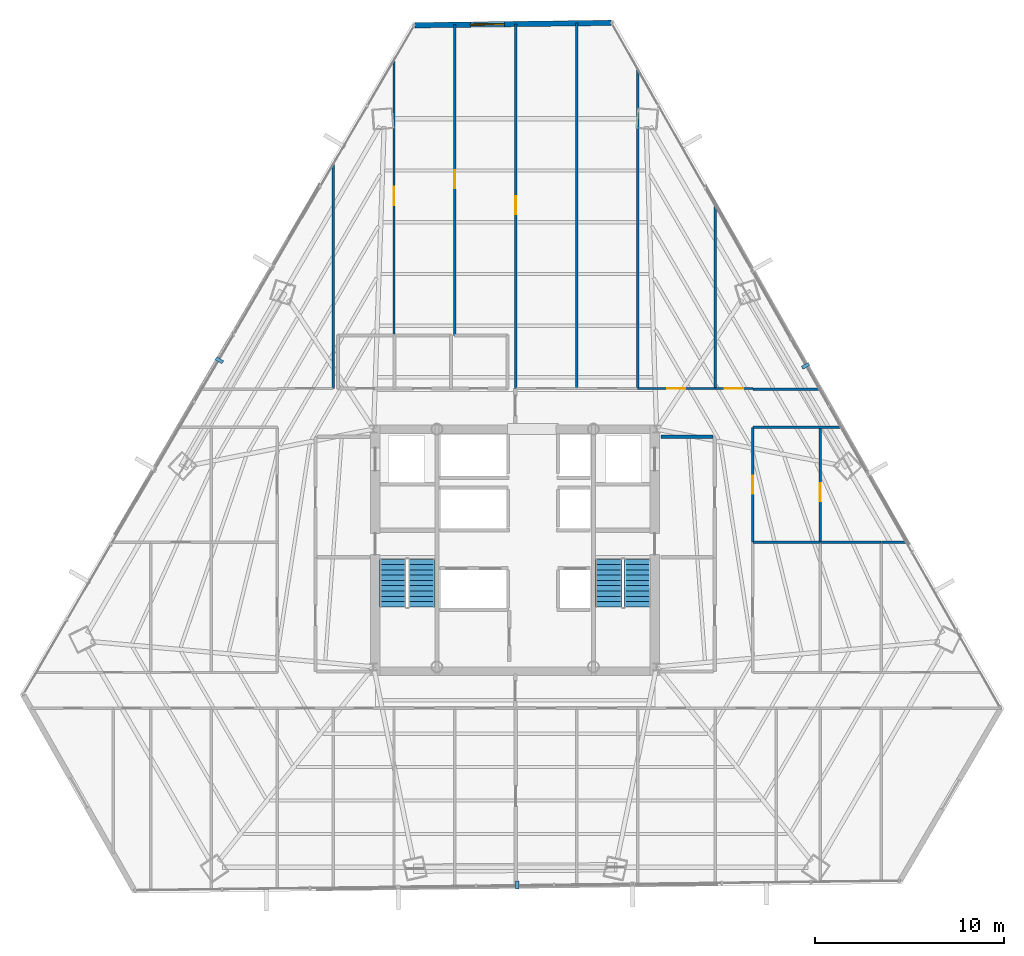
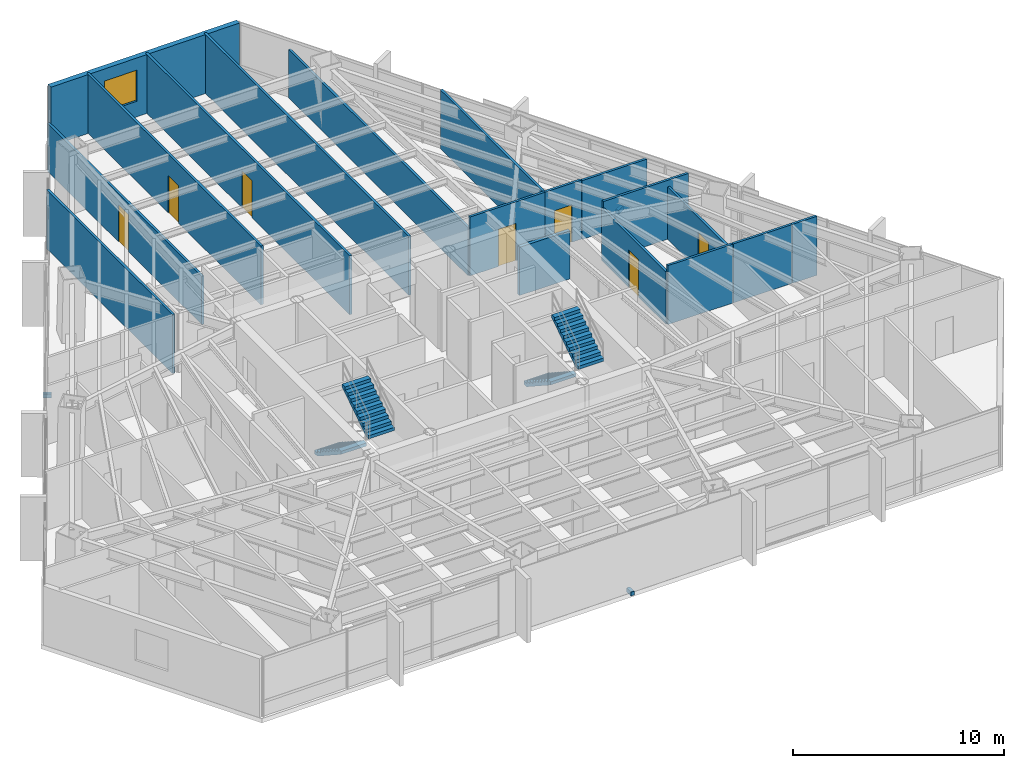
# One storey, part 32 of 35: 18 walls, 7 doors, 4 stair flights, 3 discrete accessories, 1 window, 8 openings, 2 elements without a shape of their own.
"""IFC4 building model written with IfcOpenShell, lengths in metres."""

from ifc_helpers import new_model, si_unit, direction, frame, frame_2d, origin, origin_2d, place, context, subcontext, project, spatial, polyline, rectangle, outline, extrude, source, transform, mapped, material, layer, layer_set, type_object, type_shapes, element, fill, aggregate, save


model = new_model("IFC4")

# Units and contexts
model_context = context("Model", 3, precision=1e-05, world=origin(), true_north=direction((0.0, 1.0)))
body_context = subcontext(model_context, "Body", "Model", "MODEL_VIEW")
ifc_project = project(units=[si_unit("LENGTHUNIT", "METRE"), si_unit("AREAUNIT", "SQUARE_METRE"), si_unit("VOLUMEUNIT", "CUBIC_METRE"), si_unit("PLANEANGLEUNIT", "RADIAN"), si_unit("MASSUNIT", "GRAM", prefix="KILO")], contexts=[model_context])

# Site, building, storey
site_placement = place(None, origin())
site = spatial("IfcSite", under=ifc_project, at=site_placement, CompositionType="ELEMENT")
building_placement = place(site_placement, origin())
building = spatial("IfcBuilding", under=site, at=building_placement, Name="Caelisora Broadcast Tower", CompositionType="ELEMENT")
storey_placement = place(building_placement, frame((0.0, 0.0, 123.64990234375)))
storey = spatial("IfcBuildingStorey", under=building, at=storey_placement, Name="L32", CompositionType="ELEMENT", Elevation=123.64990234375)

# Wall, opening, window
ifc_material_1 = material(Name="Insulated Terracotta Spandrel Wall System", Category="masonry")
ifc_layer_1 = layer(ifc_material_1, 0.280029296875, Name="Insulated Terracotta Spandrel Wall System")
ifc_layer_set_1 = layer_set([ifc_layer_1], Name="Insulated Terracotta Spandrel Wall System")
wall_type_1 = type_object("IfcWallType", Name="EW1", PredefinedType="STANDARD", material=ifc_layer_set_1)
wall_1_placement = place(storey_placement, frame((32.693115234375, 51.400390625, 0.0), z_axis=(0.0, 0.0, 1.0), x_axis=(0.999921501748, 0.01252957872, 0.0)))
wall_1 = element("IfcWall", 1, at=wall_1_placement, inside=storey, type_object=wall_type_1, Name="L32 exterior envelope wall EW1", PredefinedType="STANDARD", context=body_context, shape_type="SweptSolid", body=[
    extrude(rectangle(XDim=10.385498046875, YDim=0.280029296875, at=frame_2d((5.19287109375, 0.0))), origin(), (0.0, 0.0, 1.0), 3.400146484375),
])
opening_1_placement = place(wall_1_placement, frame((2.93994140625, 0.0, 0.89990234375)))
opening_1 = element("IfcOpeningElement", 2, at=opening_1_placement, cuts=wall_1, Name="Opening W01", PredefinedType="OPENING", context=body_context, shape_type="SweptSolid", body=[
    extrude(rectangle(XDim=1.800048828125, YDim=1.800048828125, at=frame_2d((0.89990234375, 0.89990234375))), frame((0.0, 0.152099609375, 0.0), z_axis=(0.0, -1.0, 0.0), x_axis=(1.0, 0.0, 0.0)), (0.0, 0.0, 1.0), 0.303955078125),
])
ifc_material_2 = material(Name="Double Glazed Terracotta-Framed Vision Window", Category="glass")
window_type = type_object("IfcWindowType", Name="W01", PartitioningType="SINGLE_PANEL", PredefinedType="WINDOW", material=ifc_material_2)
window_placement = place(opening_1_placement, origin())
window = element("IfcWindow", 3, at=window_placement, inside=storey, type_object=window_type, Name="L32 window W01 (L32-WN-CH8)", OverallHeight=1.800048828125, OverallWidth=1.800048828125, PartitioningType="SINGLE_PANEL", PredefinedType="WINDOW", context=body_context, shape_type="SweptSolid", body=[
    extrude(rectangle(XDim=1.800048828125, YDim=1.800048828125, at=frame_2d((0.89990234375, 0.89990234375))), frame((0.0, 0.030029296875, 0.0), z_axis=(0.0, -1.0, 0.0), x_axis=(1.0, 0.0, 0.0)), (0.0, 0.0, 1.0), 0.06005859375),
])
fill(opening_1, window)

# Walls
ifc_material_3 = material(Name="Fire-Rated Gypsum Shaft and Compartment Wall", Category="gypsum")
ifc_layer_2 = layer(ifc_material_3, 0.179931640625, Name="Fire-Rated Gypsum Shaft and Compartment Wall")
ifc_layer_set_2 = layer_set([ifc_layer_2], Name="Fire-Rated Gypsum Shaft and Compartment Wall")
wall_type_2 = type_object("IfcWallType", Name="PW2", PredefinedType="PARTITIONING", material=ifc_layer_set_2)
wall_2_placement = place(storey_placement, frame((45.719970703125, 29.60009765625, 0.0), z_axis=(0.0, 0.0, 1.0), x_axis=(1.0, 0.0, 0.0)))
element("IfcWall", 4, at=wall_2_placement, inside=storey, type_object=wall_type_2, Name="L32 fire compartment wall PW2", PredefinedType="PARTITIONING", context=body_context, shape_type="SweptSolid", body=[
    extrude(rectangle(XDim=2.760009765625, YDim=0.179931640625, at=frame_2d((1.3798828125, 0.0))), origin(), (0.0, 0.0, 1.0), 2.782958984375),
])
ifc_material_4 = material(Name="Acoustic Steel-Stud Plasterboard Partition", Category="gypsum")
ifc_layer_3 = layer(ifc_material_4, 0.1298828125, Name="Acoustic Steel-Stud Plasterboard Partition")
ifc_layer_set_3 = layer_set([ifc_layer_3], Name="Acoustic Steel-Stud Plasterboard Partition")
wall_type_3 = type_object("IfcWallType", Name="PW3", PredefinedType="PARTITIONING", material=ifc_layer_set_3)
wall_3_placement = place(storey_placement, frame((41.260009765625, 32.155029296875, 0.0), z_axis=(0.0, 0.0, 1.0), x_axis=(0.0, 1.0, 0.0)))
element("IfcWall", 5, at=wall_3_placement, inside=storey, type_object=wall_type_3, Name="L32 internal partition PW3", PredefinedType="PARTITIONING", context=body_context, shape_type="SweptSolid", body=[
    extrude(rectangle(XDim=19.357666015625, YDim=0.1298828125, at=frame_2d((9.6787109375, 0.0))), origin(), (0.0, 0.0, 1.0), 3.400146484375),
])

# Wall, opening, door
wall_4_placement = place(storey_placement, frame((38.0400390625, 32.155029296875, 0.0), z_axis=(0.0, 0.0, 1.0), x_axis=(0.0, 1.0, 0.0)))
wall_4 = element("IfcWall", 6, at=wall_4_placement, inside=storey, type_object=wall_type_3, Name="L32 internal partition PW3", PredefinedType="PARTITIONING", context=body_context, shape_type="SweptSolid", body=[
    extrude(rectangle(XDim=19.3173828125, YDim=0.1298828125, at=frame_2d((9.65869140625, 0.0))), origin(), (0.0, 0.0, 1.0), 3.400146484375),
])
opening_2_placement = place(wall_4_placement, frame((9.22705078125, 0.0, 0.0)))
opening_2 = element("IfcOpeningElement", 7, at=opening_2_placement, cuts=wall_4, Name="Opening D01", PredefinedType="OPENING", context=body_context, shape_type="SweptSolid", body=[
    extrude(rectangle(XDim=0.9599609375, YDim=2.14990234375, at=frame_2d((0.47998046875, 1.074951171875))), frame((0.0, 0.076904296875, 0.0), z_axis=(0.0, -1.0, 0.0), x_axis=(1.0, 0.0, 0.0)), (0.0, 0.0, 1.0), 0.15380859375),
])
ifc_material_5 = material(Name="Solid-Core Timber Acoustic Office Door", Category="wood")
door_type = type_object("IfcDoorType", Name="D01", OperationType="NOTDEFINED", PredefinedType="DOOR", material=ifc_material_5)
door_1_placement = place(opening_2_placement, origin())
door_1 = element("IfcDoor", 8, at=door_1_placement, inside=storey, type_object=door_type, Name="L32 door D01 (L32-DR-P27D1)", OperationType="SINGLE_SWING_LEFT", OverallHeight=2.14990234375, OverallWidth=0.9599609375, PredefinedType="DOOR", context=body_context, shape_type="SweptSolid", body=[
    extrude(rectangle(XDim=0.9599609375, YDim=2.14990234375, at=frame_2d((0.47998046875, 1.074951171875))), frame((0.0, 0.02490234375, 0.0), z_axis=(0.0, -1.0, 0.0), x_axis=(1.0, 0.0, 0.0)), (0.0, 0.0, 1.0), 0.050048828125),
])
fill(opening_2, door_1)

# Wall
wall_5_placement = place(storey_placement, frame((44.489990234375, 32.155029296875, 0.0), z_axis=(0.0, 0.0, 1.0), x_axis=(0.0, 1.0, 0.0)))
element("IfcWall", 9, at=wall_5_placement, inside=storey, type_object=wall_type_3, Name="L32 internal partition PW3", PredefinedType="PARTITIONING", context=body_context, shape_type="SweptSolid", body=[
    extrude(rectangle(XDim=16.9521484375, YDim=0.1298828125, at=frame_2d((8.47607421875, 0.0))), origin(), (0.0, 0.0, 1.0), 2.782958984375),
])

# Wall, opening, door
wall_6_placement = place(storey_placement, frame((34.81005859375, 34.955078125, 0.0), z_axis=(0.0, 0.0, 1.0), x_axis=(0.0, 1.0, 0.0)))
wall_6 = element("IfcWall", 10, at=wall_6_placement, inside=storey, type_object=wall_type_3, Name="L32 internal partition PW3", PredefinedType="PARTITIONING", context=body_context, shape_type="SweptSolid", body=[
    extrude(rectangle(XDim=16.476806640625, YDim=0.1298828125, at=frame_2d((8.23828125, 0.0))), origin(), (0.0, 0.0, 1.0), 3.400146484375),
])
opening_3_placement = place(wall_6_placement, frame((7.80810546875, 0.0, 0.0)))
opening_3 = element("IfcOpeningElement", 11, at=opening_3_placement, cuts=wall_6, Name="Opening D01", PredefinedType="OPENING", context=body_context, shape_type="SweptSolid", body=[
    extrude(rectangle(XDim=0.9599609375, YDim=2.14990234375, at=frame_2d((0.47998046875, 1.074951171875))), frame((0.0, 0.076904296875, 0.0), z_axis=(0.0, -1.0, 0.0), x_axis=(1.0, 0.0, 0.0)), (0.0, 0.0, 1.0), 0.15380859375),
])
door_2_placement = place(opening_3_placement, origin())
door_2 = element("IfcDoor", 12, at=door_2_placement, inside=storey, type_object=door_type, Name="L32 door D01 (L32-DR-P29D1)", OperationType="SINGLE_SWING_RIGHT", OverallHeight=2.14990234375, OverallWidth=0.9599609375, PredefinedType="DOOR", context=body_context, shape_type="SweptSolid", body=[
    extrude(rectangle(XDim=0.9599609375, YDim=2.14990234375, at=frame_2d((0.47998046875, 1.074951171875))), frame((0.0, 0.02490234375, 0.0), z_axis=(0.0, -1.0, 0.0), x_axis=(1.0, 0.0, 0.0)), (0.0, 0.0, 1.0), 0.050048828125),
])
fill(opening_3, door_2)

wall_7_placement = place(storey_placement, frame((31.580078125, 34.955078125, 0.0), z_axis=(0.0, 0.0, 1.0), x_axis=(0.0, 1.0, 0.0)))
wall_7 = element("IfcWall", 13, at=wall_7_placement, inside=storey, type_object=wall_type_3, Name="L32 internal partition PW3", PredefinedType="PARTITIONING", context=body_context, shape_type="SweptSolid", body=[
    extrude(rectangle(XDim=14.60205078125, YDim=0.1298828125, at=frame_2d((7.301025390625, 0.0))), origin(), (0.0, 0.0, 1.0), 2.782958984375),
])
opening_4_placement = place(wall_7_placement, frame((6.91796875, 0.0, 0.0)))
opening_4 = element("IfcOpeningElement", 14, at=opening_4_placement, cuts=wall_7, Name="Opening D01", PredefinedType="OPENING", context=body_context, shape_type="SweptSolid", body=[
    extrude(rectangle(XDim=0.9599609375, YDim=2.14990234375, at=frame_2d((0.47998046875, 1.074951171875))), frame((0.0, 0.076904296875, 0.0), z_axis=(0.0, -1.0, 0.0), x_axis=(1.0, 0.0, 0.0)), (0.0, 0.0, 1.0), 0.15380859375),
])
door_3_placement = place(opening_4_placement, origin())
door_3 = element("IfcDoor", 15, at=door_3_placement, inside=storey, type_object=door_type, Name="L32 door D01 (L32-DR-P30D1)", OperationType="SINGLE_SWING_LEFT", OverallHeight=2.14990234375, OverallWidth=0.9599609375, PredefinedType="DOOR", context=body_context, shape_type="SweptSolid", body=[
    extrude(rectangle(XDim=0.9599609375, YDim=2.14990234375, at=frame_2d((0.47998046875, 1.074951171875))), frame((0.0, 0.02490234375, 0.0), z_axis=(0.0, -1.0, 0.0), x_axis=(1.0, 0.0, 0.0)), (0.0, 0.0, 1.0), 0.050048828125),
])
fill(opening_4, door_3)

# Walls
wall_8_placement = place(storey_placement, frame((28.360107421875, 32.155029296875, 0.0), z_axis=(0.0, 0.0, 1.0), x_axis=(0.0, 1.0, 0.0)))
element("IfcWall", 16, at=wall_8_placement, inside=storey, type_object=wall_type_3, Name="L32 internal partition PW3", PredefinedType="PARTITIONING", context=body_context, shape_type="SweptSolid", body=[
    extrude(rectangle(XDim=11.8916015625, YDim=0.1298828125, at=frame_2d((5.94580078125, 0.0))), origin(), (0.0, 0.0, 1.0), 3.400146484375),
])
wall_9_placement = place(storey_placement, frame((48.60009765625, 32.155029296875, 0.0), z_axis=(0.0, 0.0, 1.0), x_axis=(0.0, 1.0, 0.0)))
element("IfcWall", 17, at=wall_9_placement, inside=storey, type_object=wall_type_3, Name="L32 internal partition PW3", PredefinedType="PARTITIONING", context=body_context, shape_type="SweptSolid", body=[
    extrude(rectangle(XDim=9.712158203125, YDim=0.1298828125, at=frame_2d((4.85595703125, 0.0))), origin(), (0.0, 0.0, 1.0), 3.400146484375),
])

# Wall, opening, door
wall_10_placement = place(storey_placement, frame((50.60009765625, 24.0048828125, 0.0), z_axis=(0.0, 0.0, 1.0), x_axis=(0.0, 1.0, 0.0)))
wall_10 = element("IfcWall", 18, at=wall_10_placement, inside=storey, type_object=wall_type_3, Name="L32 internal partition PW3", PredefinedType="PARTITIONING", context=body_context, shape_type="SweptSolid", body=[
    extrude(rectangle(XDim=6.090087890625, YDim=0.1298828125, at=frame_2d((3.044921875, 0.0))), origin(), (0.0, 0.0, 1.0), 3.026611328125),
])
opening_5_placement = place(wall_10_placement, frame((2.56494140625, 0.0, 0.0)))
opening_5 = element("IfcOpeningElement", 19, at=opening_5_placement, cuts=wall_10, Name="Opening D01", PredefinedType="OPENING", context=body_context, shape_type="SweptSolid", body=[
    extrude(rectangle(XDim=0.9599609375, YDim=2.14990234375, at=frame_2d((0.47998046875, 1.074951171875))), frame((0.0, 0.076904296875, 0.0), z_axis=(0.0, -1.0, 0.0), x_axis=(1.0, 0.0, 0.0)), (0.0, 0.0, 1.0), 0.15380859375),
])
door_4_placement = place(opening_5_placement, origin())
door_4 = element("IfcDoor", 20, at=door_4_placement, inside=storey, type_object=door_type, Name="L32 door D01 (L32-DR-P56D1)", OperationType="SINGLE_SWING_RIGHT", OverallHeight=2.14990234375, OverallWidth=0.9599609375, PredefinedType="DOOR", context=body_context, shape_type="SweptSolid", body=[
    extrude(rectangle(XDim=0.9599609375, YDim=2.14990234375, at=frame_2d((0.47998046875, 1.074951171875))), frame((0.0, 0.02490234375, 0.0), z_axis=(0.0, -1.0, 0.0), x_axis=(1.0, 0.0, 0.0)), (0.0, 0.0, 1.0), 0.050048828125),
])
fill(opening_5, door_4)

wall_11_placement = place(storey_placement, frame((54.169921875, 24.0048828125, 0.0), z_axis=(0.0, 0.0, 1.0), x_axis=(0.0, 1.0, 0.0)))
wall_11 = element("IfcWall", 21, at=wall_11_placement, inside=storey, type_object=wall_type_3, Name="L32 internal partition PW3", PredefinedType="PARTITIONING", context=body_context, shape_type="SweptSolid", body=[
    extrude(rectangle(XDim=6.090087890625, YDim=0.1298828125, at=frame_2d((3.044921875, 0.0))), origin(), (0.0, 0.0, 1.0), 3.026611328125),
])
opening_6_placement = place(wall_11_placement, frame((2.159912109375, 0.0, 0.0)))
opening_6 = element("IfcOpeningElement", 22, at=opening_6_placement, cuts=wall_11, Name="Opening D01", PredefinedType="OPENING", context=body_context, shape_type="SweptSolid", body=[
    extrude(rectangle(XDim=0.9599609375, YDim=2.14990234375, at=frame_2d((0.47998046875, 1.074951171875))), frame((0.0, 0.076904296875, 0.0), z_axis=(0.0, -1.0, 0.0), x_axis=(1.0, 0.0, 0.0)), (0.0, 0.0, 1.0), 0.15380859375),
])
door_5_placement = place(opening_6_placement, origin())
door_5 = element("IfcDoor", 23, at=door_5_placement, inside=storey, type_object=door_type, Name="L32 door D01 (L32-DR-P57D1)", OperationType="SINGLE_SWING_LEFT", OverallHeight=2.14990234375, OverallWidth=0.9599609375, PredefinedType="DOOR", context=body_context, shape_type="SweptSolid", body=[
    extrude(rectangle(XDim=0.9599609375, YDim=2.14990234375, at=frame_2d((0.47998046875, 1.074951171875))), frame((0.0, 0.02490234375, 0.0), z_axis=(0.0, -1.0, 0.0), x_axis=(1.0, 0.0, 0.0)), (0.0, 0.0, 1.0), 0.050048828125),
])
fill(opening_6, door_5)

wall_12_placement = place(storey_placement, frame((44.4951171875, 32.14990234375, 0.0), z_axis=(0.0, 0.0, 1.0), x_axis=(1.0, 0.0, 0.0)))
wall_12 = element("IfcWall", 24, at=wall_12_placement, inside=storey, type_object=wall_type_3, Name="L32 internal partition PW3", PredefinedType="PARTITIONING", context=body_context, shape_type="SweptSolid", body=[
    extrude(rectangle(XDim=4.099853515625, YDim=0.1298828125, at=frame_2d((2.0498046875, 0.0))), origin(), (0.0, 0.0, 1.0), 3.400146484375),
])
opening_7_placement = place(wall_12_placement, frame((1.570068359375, 0.0, 0.0)))
opening_7 = element("IfcOpeningElement", 25, at=opening_7_placement, cuts=wall_12, Name="Opening D01", PredefinedType="OPENING", context=body_context, shape_type="SweptSolid", body=[
    extrude(rectangle(XDim=0.9599609375, YDim=2.14990234375, at=frame_2d((0.47998046875, 1.074951171875))), frame((0.0, 0.076904296875, 0.0), z_axis=(0.0, -1.0, 0.0), x_axis=(1.0, 0.0, 0.0)), (0.0, 0.0, 1.0), 0.15380859375),
])
door_6_placement = place(opening_7_placement, origin())
door_6 = element("IfcDoor", 26, at=door_6_placement, inside=storey, type_object=door_type, Name="L32 door D01 (L32-DR-P61D1)", OperationType="SINGLE_SWING_RIGHT", OverallHeight=2.14990234375, OverallWidth=0.9599609375, PredefinedType="DOOR", context=body_context, shape_type="SweptSolid", body=[
    extrude(rectangle(XDim=0.9599609375, YDim=2.14990234375, at=frame_2d((0.47998046875, 1.074951171875))), frame((0.0, 0.02490234375, 0.0), z_axis=(0.0, -1.0, 0.0), x_axis=(1.0, 0.0, 0.0)), (0.0, 0.0, 1.0), 0.050048828125),
])
fill(opening_7, door_6)

# Walls
wall_13_placement = place(storey_placement, frame((50.60498046875, 32.10009765625, 0.0), z_axis=(0.0, 0.0, 1.0), x_axis=(1.0, 0.0, 0.0)))
element("IfcWall", 27, at=wall_13_placement, inside=storey, type_object=wall_type_3, Name="L32 internal partition PW3", PredefinedType="PARTITIONING", context=body_context, shape_type="SweptSolid", body=[
    extrude(rectangle(XDim=3.539794921875, YDim=0.1298828125, at=frame_2d((1.77001953125, 0.0))), origin(), (0.0, 0.0, 1.0), 3.400146484375),
])
wall_14_placement = place(storey_placement, frame((50.60498046875, 30.10009765625, 0.0), z_axis=(0.0, 0.0, 1.0), x_axis=(1.0, 0.0, 0.0)))
element("IfcWall", 28, at=wall_14_placement, inside=storey, type_object=wall_type_3, Name="L32 internal partition PW3", PredefinedType="PARTITIONING", context=body_context, shape_type="SweptSolid", body=[
    extrude(rectangle(XDim=4.6494140625, YDim=0.1298828125, at=frame_2d((2.32470703125, 0.0))), origin(), (0.0, 0.0, 1.0), 3.400146484375),
])
wall_15_placement = place(storey_placement, frame((50.60498046875, 24.0, 0.0), z_axis=(0.0, 0.0, 1.0), x_axis=(1.0, 0.0, 0.0)))
element("IfcWall", 29, at=wall_15_placement, inside=storey, type_object=wall_type_3, Name="L32 internal partition PW3", PredefinedType="PARTITIONING", context=body_context, shape_type="SweptSolid", body=[
    extrude(rectangle(XDim=3.56005859375, YDim=0.1298828125, at=frame_2d((1.780029296875, 0.0))), origin(), (0.0, 0.0, 1.0), 3.400146484375),
])
wall_16_placement = place(storey_placement, frame((54.175048828125, 24.0, 0.0), z_axis=(0.0, 0.0, 1.0), x_axis=(1.0, 0.0, 0.0)))
element("IfcWall", 30, at=wall_16_placement, inside=storey, type_object=wall_type_3, Name="L32 internal partition PW3", PredefinedType="PARTITIONING", context=body_context, shape_type="SweptSolid", body=[
    extrude(rectangle(XDim=3.219970703125, YDim=0.1298828125, at=frame_2d((1.60986328125, 0.0))), origin(), (0.0, 0.0, 1.0), 3.400146484375),
])

# Wall, opening, door
wall_17_placement = place(storey_placement, frame((48.60498046875, 32.14990234375, 0.0), z_axis=(0.0, 0.0, 1.0), x_axis=(1.0, 0.0, 0.0)))
wall_17 = element("IfcWall", 31, at=wall_17_placement, inside=storey, type_object=wall_type_3, Name="L32 internal partition PW3", PredefinedType="PARTITIONING", context=body_context, shape_type="SweptSolid", body=[
    extrude(rectangle(XDim=1.989990234375, YDim=0.1298828125, at=frame_2d((0.9951171875, 0.0))), origin(), (0.0, 0.0, 1.0), 3.400146484375),
])
opening_8_placement = place(wall_17_placement, frame((0.514892578125, 0.0, 0.0)))
opening_8 = element("IfcOpeningElement", 32, at=opening_8_placement, cuts=wall_17, Name="Opening D01", PredefinedType="OPENING", context=body_context, shape_type="SweptSolid", body=[
    extrude(rectangle(XDim=0.9599609375, YDim=2.14990234375, at=frame_2d((0.47998046875, 1.074951171875))), frame((0.0, 0.076904296875, 0.0), z_axis=(0.0, -1.0, 0.0), x_axis=(1.0, 0.0, 0.0)), (0.0, 0.0, 1.0), 0.15380859375),
])
door_7_placement = place(opening_8_placement, origin())
door_7 = element("IfcDoor", 33, at=door_7_placement, inside=storey, type_object=door_type, Name="L32 door D01 (L32-DR-P89D1)", OperationType="SINGLE_SWING_LEFT", OverallHeight=2.14990234375, OverallWidth=0.9599609375, PredefinedType="DOOR", context=body_context, shape_type="SweptSolid", body=[
    extrude(rectangle(XDim=0.9599609375, YDim=2.14990234375, at=frame_2d((0.47998046875, 1.074951171875))), frame((0.0, 0.02490234375, 0.0), z_axis=(0.0, -1.0, 0.0), x_axis=(1.0, 0.0, 0.0)), (0.0, 0.0, 1.0), 0.050048828125),
])
fill(opening_8, door_7)

# Wall
wall_18_placement = place(storey_placement, frame((57.405029296875, 24.0, 0.0), z_axis=(0.0, 0.0, 1.0), x_axis=(1.0, 0.0, 0.0)))
element("IfcWall", 34, at=wall_18_placement, inside=storey, type_object=wall_type_3, Name="L32 internal partition PW3", PredefinedType="PARTITIONING", context=body_context, shape_type="SweptSolid", body=[
    extrude(rectangle(XDim=1.338134765625, YDim=0.1298828125, at=frame_2d((0.6689453125, 0.0))), origin(), (0.0, 0.0, 1.0), 3.400146484375),
])

# Stair, stair flights
ifc_material_6 = material(Name="Concrete 40 MPa (AS 3600 N40)", Category="concrete")
stair_type_1 = type_object("IfcStairType", Name="ST-1", PredefinedType="HALF_TURN_STAIR", material=ifc_material_6)
stair_1_placement = place(storey_placement, origin())
stair_1 = element("IfcStair", 35, at=stair_1_placement, inside=storey, type_object=stair_type_1, Name="L32 West Fire-Isolated Tower Stair", PredefinedType="HALF_TURN_STAIR")
stair_flight_type = type_object("IfcStairFlightType", Name="STF-2", PredefinedType="STRAIGHT", material=ifc_material_6)
stair_flight_1_placement = place(storey_placement, frame((31.52001953125, 23.10009765625, 0.0), z_axis=(0.0, 0.0, 1.0), x_axis=(0.0, -1.0, 0.0)))
stair_flight_1 = element("IfcStairFlight", 36, at=stair_flight_1_placement, type_object=stair_flight_type, Name="ST-1 flight 1", NumberOfRisers=10, NumberOfTreads=9, PredefinedType="STRAIGHT", RiserHeight=0.1825, TreadLength=0.28, context=body_context, shape_type="SweptSolid", body=[
    extrude(outline(polyline([(0.0, 0.0), (0.0, 0.1826171875), (0.280029296875, 0.1826171875), (0.280029296875, 0.364990234375), (0.56005859375, 0.364990234375), (0.56005859375, 0.547607421875), (0.840087890625, 0.547607421875), (0.840087890625, 0.72998046875), (1.1201171875, 0.72998046875), (1.1201171875, 0.91259765625), (1.39990234375, 0.91259765625), (1.39990234375, 1.094970703125), (1.679931640625, 1.094970703125), (1.679931640625, 1.277587890625), (1.9599609375, 1.277587890625), (1.9599609375, 1.4599609375), (2.239990234375, 1.4599609375), (2.239990234375, 1.642578125), (2.52001953125, 1.642578125), (2.52001953125, 1.824951171875), (2.52001953125, 1.463623046875), (0.2744140625, 0.0), (0.0, 0.0)])), frame((0.0, 0.699951171875, 0.0), z_axis=(0.0, -1.0, 0.0), x_axis=(1.0, 0.0, 0.0)), (0.0, 0.0, 1.0), 1.39990234375),
])
stair_flight_2_placement = place(storey_placement, frame((33.0400390625, 20.580078125, 1.8251953125), z_axis=(0.0, 0.0, 1.0), x_axis=(0.0, 1.0, 0.0)))
stair_flight_2 = element("IfcStairFlight", 37, at=stair_flight_2_placement, type_object=stair_flight_type, Name="ST-1 flight 2", NumberOfRisers=10, NumberOfTreads=9, PredefinedType="STRAIGHT", RiserHeight=0.1825, TreadLength=0.28, context=body_context, shape_type="SweptSolid", body=[
    extrude(outline(polyline([(0.0, 0.0), (0.0, 0.1826171875), (0.280029296875, 0.1826171875), (0.280029296875, 0.364990234375), (0.56005859375, 0.364990234375), (0.56005859375, 0.547607421875), (0.840087890625, 0.547607421875), (0.840087890625, 0.72998046875), (1.1201171875, 0.72998046875), (1.1201171875, 0.91259765625), (1.39990234375, 0.91259765625), (1.39990234375, 1.094970703125), (1.679931640625, 1.094970703125), (1.679931640625, 1.277587890625), (1.9599609375, 1.277587890625), (1.9599609375, 1.4599609375), (2.239990234375, 1.4599609375), (2.239990234375, 1.642578125), (2.52001953125, 1.642578125), (2.52001953125, 1.824951171875), (2.52001953125, 1.463623046875), (0.2744140625, 0.0), (0.0, 0.0)])), frame((0.0, 0.699951171875, 0.0), z_axis=(0.0, -1.0, 0.0), x_axis=(1.0, 0.0, 0.0)), (0.0, 0.0, 1.0), 1.39990234375),
])
aggregate(stair_1, [stair_flight_1, stair_flight_2])

stair_type_2 = type_object("IfcStairType", Name="ST-2", PredefinedType="HALF_TURN_STAIR", material=ifc_material_6)
stair_2_placement = place(storey_placement, origin())
stair_2 = element("IfcStair", 38, at=stair_2_placement, inside=storey, type_object=stair_type_2, Name="L32 East Fire-Isolated Tower Stair", PredefinedType="HALF_TURN_STAIR")
stair_flight_3_placement = place(storey_placement, frame((42.9599609375, 23.10009765625, 0.0), z_axis=(0.0, 0.0, 1.0), x_axis=(0.0, -1.0, 0.0)))
stair_flight_3 = element("IfcStairFlight", 39, at=stair_flight_3_placement, type_object=stair_flight_type, Name="ST-2 flight 1", NumberOfRisers=10, NumberOfTreads=9, PredefinedType="STRAIGHT", RiserHeight=0.1825, TreadLength=0.28, context=body_context, shape_type="SweptSolid", body=[
    extrude(outline(polyline([(0.0, 0.0), (0.0, 0.1826171875), (0.280029296875, 0.1826171875), (0.280029296875, 0.364990234375), (0.56005859375, 0.364990234375), (0.56005859375, 0.547607421875), (0.840087890625, 0.547607421875), (0.840087890625, 0.72998046875), (1.1201171875, 0.72998046875), (1.1201171875, 0.91259765625), (1.39990234375, 0.91259765625), (1.39990234375, 1.094970703125), (1.679931640625, 1.094970703125), (1.679931640625, 1.277587890625), (1.9599609375, 1.277587890625), (1.9599609375, 1.4599609375), (2.239990234375, 1.4599609375), (2.239990234375, 1.642578125), (2.52001953125, 1.642578125), (2.52001953125, 1.824951171875), (2.52001953125, 1.463623046875), (0.2744140625, 0.0), (0.0, 0.0)])), frame((0.0, 0.699951171875, 0.0), z_axis=(0.0, -1.0, 0.0), x_axis=(1.0, 0.0, 0.0)), (0.0, 0.0, 1.0), 1.39990234375),
])
stair_flight_4_placement = place(storey_placement, frame((44.47998046875, 20.580078125, 1.8251953125), z_axis=(0.0, 0.0, 1.0), x_axis=(0.0, 1.0, 0.0)))
stair_flight_4 = element("IfcStairFlight", 40, at=stair_flight_4_placement, type_object=stair_flight_type, Name="ST-2 flight 2", NumberOfRisers=10, NumberOfTreads=9, PredefinedType="STRAIGHT", RiserHeight=0.1825, TreadLength=0.28, context=body_context, shape_type="SweptSolid", body=[
    extrude(outline(polyline([(0.0, 0.0), (0.0, 0.1826171875), (0.280029296875, 0.1826171875), (0.280029296875, 0.364990234375), (0.56005859375, 0.364990234375), (0.56005859375, 0.547607421875), (0.840087890625, 0.547607421875), (0.840087890625, 0.72998046875), (1.1201171875, 0.72998046875), (1.1201171875, 0.91259765625), (1.39990234375, 0.91259765625), (1.39990234375, 1.094970703125), (1.679931640625, 1.094970703125), (1.679931640625, 1.277587890625), (1.9599609375, 1.277587890625), (1.9599609375, 1.4599609375), (2.239990234375, 1.4599609375), (2.239990234375, 1.642578125), (2.52001953125, 1.642578125), (2.52001953125, 1.824951171875), (2.52001953125, 1.463623046875), (0.2744140625, 0.0), (0.0, 0.0)])), frame((0.0, 0.699951171875, 0.0), z_axis=(0.0, -1.0, 0.0), x_axis=(1.0, 0.0, 0.0)), (0.0, 0.0, 1.0), 1.39990234375),
])
aggregate(stair_2, [stair_flight_3, stair_flight_4])

# Discrete accessories
ifc_material_7 = material(Name="Steel Grade 350 (AS/NZS 3679.1)", Category="steel")
discrete_accessory_type = type_object("IfcDiscreteAccessoryType", Name="BRK-1", PredefinedType="BRACKET", material=ifc_material_7)
shared_shape = source(origin(), body_context, "Body", "SweptSolid", [
    extrude(rectangle(XDim=0.179931640625, YDim=0.419921875, at=origin_2d()), origin(), (0.0, 0.0, 1.0), 0.219970703125),
])
type_shapes(discrete_accessory_type, [shared_shape])
for number, where, z_axis, x_axis, name in (
    (41, (22.322021484375, 33.644287109375, -0.15966796875), (0.0, 0.0, 1.0), (-0.504527623815, -0.863395550607, 0.0), "L32 solar screen outrigger bracket #1"),
    (42, (38.106201171875, 5.8349609375, -0.15966796875), (0.0, 0.0, 1.0), (0.999923222162, 0.012391520548, 0.0), "L32 solar screen outrigger bracket #2"),
    (43, (53.39599609375, 33.34814453125, -0.15966796875), (0.0, 0.0, 1.0), (-0.493638325511, 0.869667294767, 0.0), "L32 solar screen outrigger bracket #3"),
):
    element("IfcDiscreteAccessory", number, at=place(storey_placement, frame(where, z_axis=z_axis, x_axis=x_axis)), inside=storey, type_object=discrete_accessory_type, Name=name, PredefinedType="BRACKET", context=body_context, shape_type="MappedRepresentation", body=[
        mapped(shared_shape, transform((0.0, 0.0, 0.0), scale=1.0)),
    ])

save(model, "model.ifc")
